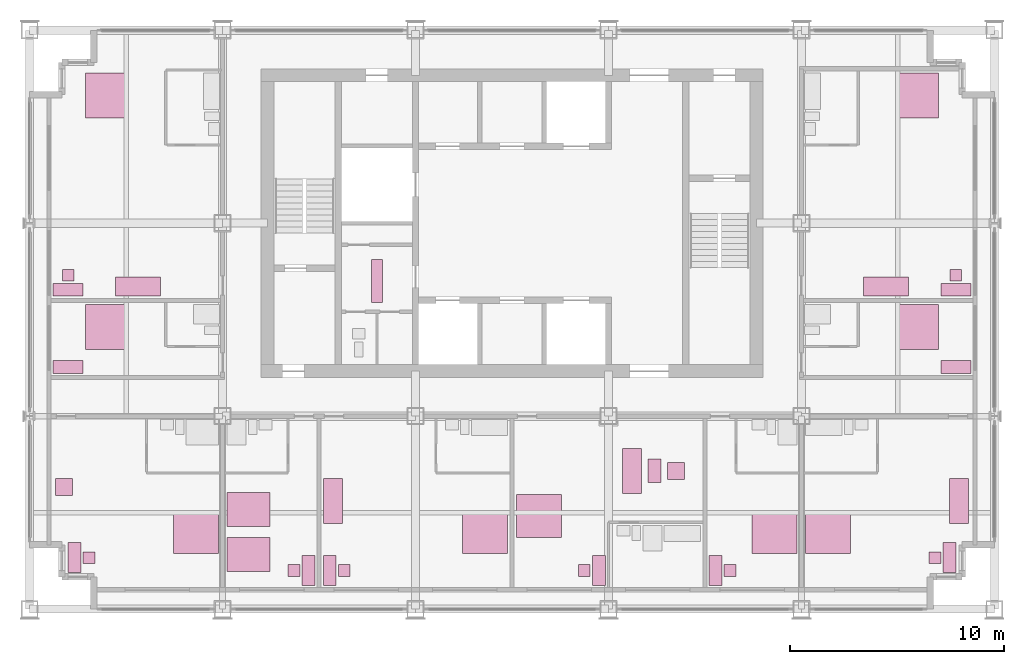
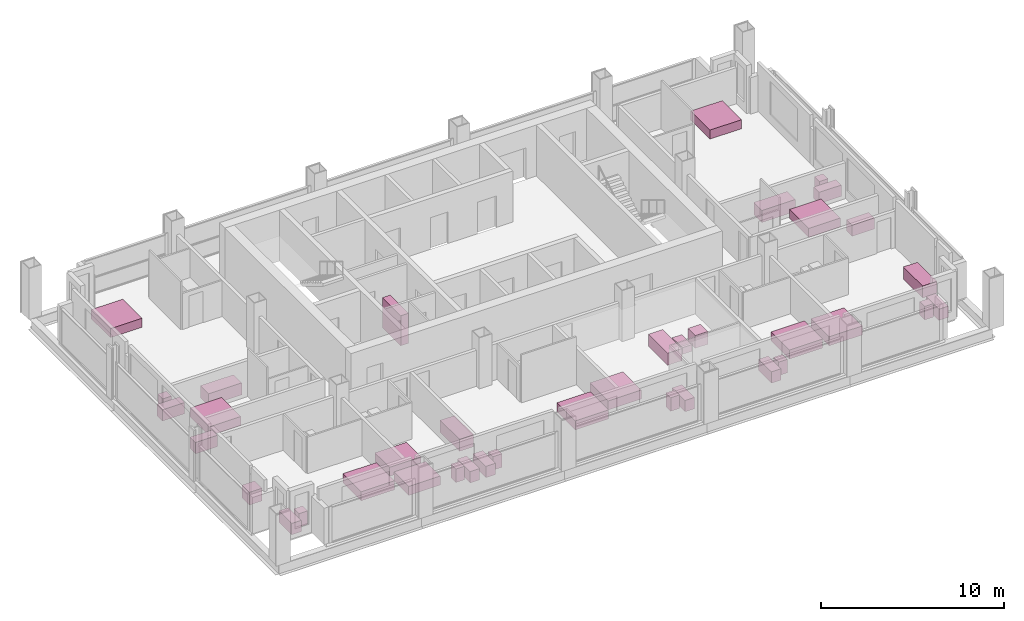
# One storey, part 13 of 13: 38 furniture elements.
"""IFC4 building model written with IfcOpenShell, lengths in metres."""

from ifc_helpers import new_model, si_unit, direction, frame, origin, origin_2d, place, context, subcontext, project, spatial, rectangle, extrude, element, save


model = new_model("IFC4")

# Units and contexts
model_context = context("Model", 3, precision=1e-05, world=origin(), true_north=direction((0.0, 1.0)))
body_context = subcontext(model_context, "Body", "Model", "MODEL_VIEW")
ifc_project = project(units=[si_unit("LENGTHUNIT", "METRE"), si_unit("AREAUNIT", "SQUARE_METRE"), si_unit("VOLUMEUNIT", "CUBIC_METRE"), si_unit("PLANEANGLEUNIT", "RADIAN"), si_unit("MASSUNIT", "GRAM", prefix="KILO")], contexts=[model_context])

# Site, building, storey
site_placement = place(None, origin())
site = spatial("IfcSite", under=ifc_project, at=site_placement, CompositionType="ELEMENT")
building_placement = place(site_placement, origin())
building = spatial("IfcBuilding", under=site, at=building_placement, Name="Loomwork Tower", CompositionType="ELEMENT")
storey_placement = place(building_placement, frame((0.0, 0.0, 211.39990234375)))
storey = spatial("IfcBuildingStorey", under=building, at=storey_placement, Name="L58", CompositionType="ELEMENT", Elevation=211.39990234375)

# Furniture
furniture_1_placement = place(storey_placement, frame((7.75, 3.60009765625, 0.0), z_axis=(0.0, 0.0, 1.0), x_axis=(1.0, 0.0, 0.0)))
element("IfcFurniture", 1, at=furniture_1_placement, inside=storey, Name="King bed L58", PredefinedType="BED", context=body_context, shape_type="SweptSolid", body=[
    extrude(rectangle(XDim=2.10009765625, YDim=2.0, at=origin_2d()), origin(), (0.0, 0.0, 1.0), 0.60009765625),
])
furniture_2_placement = place(storey_placement, frame((2.10009765625, 2.39990234375, 0.0), z_axis=(0.0, 0.0, 1.0), x_axis=(1.0, 0.0, 0.0)))
element("IfcFurniture", 2, at=furniture_2_placement, inside=storey, Name="Writing desk L58", PredefinedType="DESK", context=body_context, shape_type="SweptSolid", body=[
    extrude(rectangle(XDim=0.60009765625, YDim=1.39990234375, at=origin_2d()), origin(), (0.0, 0.0, 1.0), 0.75),
])
furniture_3_placement = place(storey_placement, frame((2.77490234375, 2.39990234375, 0.000244140625), z_axis=(0.0, 0.0, 1.0), x_axis=(1.0, 0.0, 0.0)))
element("IfcFurniture", 3, at=furniture_3_placement, inside=storey, Name="Desk chair L58", PredefinedType="CHAIR", context=body_context, shape_type="SweptSolid", body=[
    extrude(rectangle(XDim=0.550048828125, YDim=0.550048828125, at=origin_2d()), origin(), (0.0, 0.0, 1.0), 0.89990234375),
])
furniture_4_placement = place(storey_placement, frame((1.60009765625, 5.699951171875, 0.0), z_axis=(0.0, 0.0, 1.0), x_axis=(1.0, 0.0, 0.0)))
element("IfcFurniture", 4, at=furniture_4_placement, inside=storey, Name="Lounge armchair L58", PredefinedType="CHAIR", context=body_context, shape_type="SweptSolid", body=[
    extrude(rectangle(XDim=0.800048828125, YDim=0.800048828125, at=origin_2d()), origin(), (0.0, 0.0, 1.0), 0.85009765625),
])
for number, where, z_axis, x_axis, name in (
    (5, (10.199951171875, 4.64990234375, 0.0), (0.0, 0.0, 1.0), (1.0, 0.0, 0.0), "Queen bed L58"),
    (6, (10.199951171875, 2.550048828125, 0.0), (0.0, 0.0, 1.0), (1.0, 0.0, 0.0), "Queen bed L58"),
):
    element("IfcFurniture", number, at=place(storey_placement, frame(where, z_axis=z_axis, x_axis=x_axis)), inside=storey, Name=name, PredefinedType="BED", context=body_context, shape_type="SweptSolid", body=[
        extrude(rectangle(XDim=2.0, YDim=1.60009765625, at=origin_2d()), origin(), (0.0, 0.0, 1.0), 0.60009765625),
    ])
furniture_5_placement = place(storey_placement, frame((13.0, 1.800048828125, 0.0), z_axis=(0.0, 0.0, 1.0), x_axis=(1.0, 0.0, 0.0)))
element("IfcFurniture", 7, at=furniture_5_placement, inside=storey, Name="Writing desk L58", PredefinedType="DESK", context=body_context, shape_type="SweptSolid", body=[
    extrude(rectangle(XDim=0.60009765625, YDim=1.39990234375, at=origin_2d()), origin(), (0.0, 0.0, 1.0), 0.75),
])
furniture_6_placement = place(storey_placement, frame((12.324951171875, 1.800048828125, 0.000244140625), z_axis=(0.0, 0.0, 1.0), x_axis=(1.0, 0.0, 0.0)))
element("IfcFurniture", 8, at=furniture_6_placement, inside=storey, Name="Desk chair L58", PredefinedType="CHAIR", context=body_context, shape_type="SweptSolid", body=[
    extrude(rectangle(XDim=0.550048828125, YDim=0.550048828125, at=origin_2d()), origin(), (0.0, 0.0, 1.0), 0.89990234375),
])
furniture_7_placement = place(storey_placement, frame((21.25, 3.60009765625, 0.0), z_axis=(0.0, 0.0, 1.0), x_axis=(1.0, 0.0, 0.0)))
element("IfcFurniture", 9, at=furniture_7_placement, inside=storey, Name="King bed L58", PredefinedType="BED", context=body_context, shape_type="SweptSolid", body=[
    extrude(rectangle(XDim=2.10009765625, YDim=2.0, at=origin_2d()), origin(), (0.0, 0.0, 1.0), 0.60009765625),
])
furniture_8_placement = place(storey_placement, frame((14.0, 1.800048828125, 0.0), z_axis=(0.0, 0.0, 1.0), x_axis=(1.0, 0.0, 0.0)))
element("IfcFurniture", 10, at=furniture_8_placement, inside=storey, Name="Writing desk L58", PredefinedType="DESK", context=body_context, shape_type="SweptSolid", body=[
    extrude(rectangle(XDim=0.60009765625, YDim=1.39990234375, at=origin_2d()), origin(), (0.0, 0.0, 1.0), 0.75),
])
furniture_9_placement = place(storey_placement, frame((14.675048828125, 1.800048828125, 0.000244140625), z_axis=(0.0, 0.0, 1.0), x_axis=(1.0, 0.0, 0.0)))
element("IfcFurniture", 11, at=furniture_9_placement, inside=storey, Name="Desk chair L58", PredefinedType="CHAIR", context=body_context, shape_type="SweptSolid", body=[
    extrude(rectangle(XDim=0.550048828125, YDim=0.550048828125, at=origin_2d()), origin(), (0.0, 0.0, 1.0), 0.89990234375),
])
furniture_10_placement = place(storey_placement, frame((14.14990234375, 5.050048828125, 0.0), z_axis=(0.0, 0.0, 1.0), x_axis=(1.0, 0.0, 0.0)))
element("IfcFurniture", 12, at=furniture_10_placement, inside=storey, Name="Sofa L58", PredefinedType="SOFA", context=body_context, shape_type="SweptSolid", body=[
    extrude(rectangle(XDim=0.89990234375, YDim=2.10009765625, at=origin_2d()), origin(), (0.0, 0.0, 1.0), 0.800048828125),
])
furniture_11_placement = place(storey_placement, frame((23.75, 4.35009765625, 0.0), z_axis=(0.0, 0.0, 1.0), x_axis=(1.0, 0.0, 0.0)))
element("IfcFurniture", 13, at=furniture_11_placement, inside=storey, Name="King bed L58", PredefinedType="BED", context=body_context, shape_type="SweptSolid", body=[
    extrude(rectangle(XDim=2.10009765625, YDim=2.0, at=origin_2d()), origin(), (0.0, 0.0, 1.0), 0.60009765625),
])
furniture_12_placement = place(storey_placement, frame((26.550048828125, 1.800048828125, 0.0), z_axis=(0.0, 0.0, 1.0), x_axis=(1.0, 0.0, 0.0)))
element("IfcFurniture", 14, at=furniture_12_placement, inside=storey, Name="Writing desk L58", PredefinedType="DESK", context=body_context, shape_type="SweptSolid", body=[
    extrude(rectangle(XDim=0.60009765625, YDim=1.39990234375, at=origin_2d()), origin(), (0.0, 0.0, 1.0), 0.75),
])
furniture_13_placement = place(storey_placement, frame((25.875, 1.800048828125, 0.000244140625), z_axis=(0.0, 0.0, 1.0), x_axis=(1.0, 0.0, 0.0)))
element("IfcFurniture", 15, at=furniture_13_placement, inside=storey, Name="Desk chair L58", PredefinedType="CHAIR", context=body_context, shape_type="SweptSolid", body=[
    extrude(rectangle(XDim=0.550048828125, YDim=0.550048828125, at=origin_2d()), origin(), (0.0, 0.0, 1.0), 0.89990234375),
])
furniture_14_placement = place(storey_placement, frame((28.10009765625, 6.449951171875, 0.0), z_axis=(0.0, 0.0, 1.0), x_axis=(1.0, 0.0, 0.0)))
element("IfcFurniture", 16, at=furniture_14_placement, inside=storey, Name="Sofa L58", PredefinedType="SOFA", context=body_context, shape_type="SweptSolid", body=[
    extrude(rectangle(XDim=0.89990234375, YDim=2.10009765625, at=origin_2d()), origin(), (0.0, 0.0, 1.0), 0.800048828125),
])
furniture_15_placement = place(storey_placement, frame((29.14990234375, 6.449951171875, 0.0), z_axis=(0.0, 0.0, 1.0), x_axis=(1.0, 0.0, 0.0)))
element("IfcFurniture", 17, at=furniture_15_placement, inside=storey, Name="Coffee table L58", PredefinedType="TABLE", context=body_context, shape_type="SweptSolid", body=[
    extrude(rectangle(XDim=0.60009765625, YDim=1.10009765625, at=origin_2d()), origin(), (0.0, 0.0, 1.0), 0.449951171875),
])
furniture_16_placement = place(storey_placement, frame((30.14990234375, 6.449951171875, 0.0), z_axis=(0.0, 0.0, 1.0), x_axis=(1.0, 0.0, 0.0)))
element("IfcFurniture", 18, at=furniture_16_placement, inside=storey, Name="Lounge armchair L58", PredefinedType="CHAIR", context=body_context, shape_type="SweptSolid", body=[
    extrude(rectangle(XDim=0.800048828125, YDim=0.800048828125, at=origin_2d()), origin(), (0.0, 0.0, 1.0), 0.85009765625),
])
furniture_17_placement = place(storey_placement, frame((34.75, 3.60009765625, 0.0), z_axis=(0.0, 0.0, 1.0), x_axis=(1.0, 0.0, 0.0)))
element("IfcFurniture", 19, at=furniture_17_placement, inside=storey, Name="King bed L58", PredefinedType="BED", context=body_context, shape_type="SweptSolid", body=[
    extrude(rectangle(XDim=2.10009765625, YDim=2.0, at=origin_2d()), origin(), (0.0, 0.0, 1.0), 0.60009765625),
])
furniture_18_placement = place(storey_placement, frame((32.0, 1.800048828125, 0.0), z_axis=(0.0, 0.0, 1.0), x_axis=(1.0, 0.0, 0.0)))
element("IfcFurniture", 20, at=furniture_18_placement, inside=storey, Name="Writing desk L58", PredefinedType="DESK", context=body_context, shape_type="SweptSolid", body=[
    extrude(rectangle(XDim=0.60009765625, YDim=1.39990234375, at=origin_2d()), origin(), (0.0, 0.0, 1.0), 0.75),
])
furniture_19_placement = place(storey_placement, frame((32.675048828125, 1.800048828125, 0.000244140625), z_axis=(0.0, 0.0, 1.0), x_axis=(1.0, 0.0, 0.0)))
element("IfcFurniture", 21, at=furniture_19_placement, inside=storey, Name="Desk chair L58", PredefinedType="CHAIR", context=body_context, shape_type="SweptSolid", body=[
    extrude(rectangle(XDim=0.550048828125, YDim=0.550048828125, at=origin_2d()), origin(), (0.0, 0.0, 1.0), 0.89990234375),
])
furniture_20_placement = place(storey_placement, frame((37.25, 3.60009765625, 0.0), z_axis=(0.0, 0.0, 1.0), x_axis=(1.0, 0.0, 0.0)))
element("IfcFurniture", 22, at=furniture_20_placement, inside=storey, Name="King bed L58", PredefinedType="BED", context=body_context, shape_type="SweptSolid", body=[
    extrude(rectangle(XDim=2.10009765625, YDim=2.0, at=origin_2d()), origin(), (0.0, 0.0, 1.0), 0.60009765625),
])
furniture_21_placement = place(storey_placement, frame((42.89990234375, 2.39990234375, 0.0), z_axis=(0.0, 0.0, 1.0), x_axis=(1.0, 0.0, 0.0)))
element("IfcFurniture", 23, at=furniture_21_placement, inside=storey, Name="Writing desk L58", PredefinedType="DESK", context=body_context, shape_type="SweptSolid", body=[
    extrude(rectangle(XDim=0.60009765625, YDim=1.39990234375, at=origin_2d()), origin(), (0.0, 0.0, 1.0), 0.75),
])
furniture_22_placement = place(storey_placement, frame((42.22509765625, 2.39990234375, 0.000244140625), z_axis=(0.0, 0.0, 1.0), x_axis=(1.0, 0.0, 0.0)))
element("IfcFurniture", 24, at=furniture_22_placement, inside=storey, Name="Desk chair L58", PredefinedType="CHAIR", context=body_context, shape_type="SweptSolid", body=[
    extrude(rectangle(XDim=0.550048828125, YDim=0.550048828125, at=origin_2d()), origin(), (0.0, 0.0, 1.0), 0.89990234375),
])
furniture_23_placement = place(storey_placement, frame((43.35009765625, 5.050048828125, 0.0), z_axis=(0.0, 0.0, 1.0), x_axis=(1.0, 0.0, 0.0)))
element("IfcFurniture", 25, at=furniture_23_placement, inside=storey, Name="Sofa L58", PredefinedType="SOFA", context=body_context, shape_type="SweptSolid", body=[
    extrude(rectangle(XDim=0.89990234375, YDim=2.10009765625, at=origin_2d()), origin(), (0.0, 0.0, 1.0), 0.800048828125),
])
furniture_24_placement = place(storey_placement, frame((3.60009765625, 13.14990234375, 0.0), z_axis=(0.0, 0.0, 1.0), x_axis=(1.0, 0.0, 0.0)))
element("IfcFurniture", 26, at=furniture_24_placement, inside=storey, Name="King bed L58", PredefinedType="BED", context=body_context, shape_type="SweptSolid", body=[
    extrude(rectangle(XDim=2.0, YDim=2.10009765625, at=origin_2d()), origin(), (0.0, 0.0, 1.0), 0.60009765625),
])
furniture_25_placement = place(storey_placement, frame((1.800048828125, 11.300048828125, 0.0), z_axis=(0.0, 0.0, 1.0), x_axis=(1.0, 0.0, 0.0)))
element("IfcFurniture", 27, at=furniture_25_placement, inside=storey, Name="Writing desk L58", PredefinedType="DESK", context=body_context, shape_type="SweptSolid", body=[
    extrude(rectangle(XDim=1.39990234375, YDim=0.60009765625, at=origin_2d()), origin(), (0.0, 0.0, 1.0), 0.75),
])
furniture_26_placement = place(storey_placement, frame((3.60009765625, 23.949951171875, 0.0), z_axis=(0.0, 0.0, 1.0), x_axis=(1.0, 0.0, 0.0)))
element("IfcFurniture", 28, at=furniture_26_placement, inside=storey, Name="King bed L58", PredefinedType="BED", context=body_context, shape_type="SweptSolid", body=[
    extrude(rectangle(XDim=2.0, YDim=2.10009765625, at=origin_2d()), origin(), (0.0, 0.0, 1.0), 0.60009765625),
])
furniture_27_placement = place(storey_placement, frame((1.800048828125, 14.89990234375, 0.0), z_axis=(0.0, 0.0, 1.0), x_axis=(1.0, 0.0, 0.0)))
element("IfcFurniture", 29, at=furniture_27_placement, inside=storey, Name="Writing desk L58", PredefinedType="DESK", context=body_context, shape_type="SweptSolid", body=[
    extrude(rectangle(XDim=1.39990234375, YDim=0.60009765625, at=origin_2d()), origin(), (0.0, 0.0, 1.0), 0.75),
])
furniture_28_placement = place(storey_placement, frame((1.800048828125, 15.574951171875, 0.000244140625), z_axis=(0.0, 0.0, 1.0), x_axis=(1.0, 0.0, 0.0)))
element("IfcFurniture", 30, at=furniture_28_placement, inside=storey, Name="Desk chair L58", PredefinedType="CHAIR", context=body_context, shape_type="SweptSolid", body=[
    extrude(rectangle(XDim=0.550048828125, YDim=0.550048828125, at=origin_2d()), origin(), (0.0, 0.0, 1.0), 0.89990234375),
])
furniture_29_placement = place(storey_placement, frame((5.050048828125, 15.050048828125, 0.0), z_axis=(0.0, 0.0, 1.0), x_axis=(1.0, 0.0, 0.0)))
element("IfcFurniture", 31, at=furniture_29_placement, inside=storey, Name="Sofa L58", PredefinedType="SOFA", context=body_context, shape_type="SweptSolid", body=[
    extrude(rectangle(XDim=2.10009765625, YDim=0.89990234375, at=origin_2d()), origin(), (0.0, 0.0, 1.0), 0.800048828125),
])
furniture_30_placement = place(storey_placement, frame((41.39990234375, 13.14990234375, 0.0), z_axis=(0.0, 0.0, 1.0), x_axis=(1.0, 0.0, 0.0)))
element("IfcFurniture", 32, at=furniture_30_placement, inside=storey, Name="King bed L58", PredefinedType="BED", context=body_context, shape_type="SweptSolid", body=[
    extrude(rectangle(XDim=2.0, YDim=2.10009765625, at=origin_2d()), origin(), (0.0, 0.0, 1.0), 0.60009765625),
])
furniture_31_placement = place(storey_placement, frame((43.199951171875, 11.300048828125, 0.0), z_axis=(0.0, 0.0, 1.0), x_axis=(1.0, 0.0, 0.0)))
element("IfcFurniture", 33, at=furniture_31_placement, inside=storey, Name="Writing desk L58", PredefinedType="DESK", context=body_context, shape_type="SweptSolid", body=[
    extrude(rectangle(XDim=1.39990234375, YDim=0.60009765625, at=origin_2d()), origin(), (0.0, 0.0, 1.0), 0.75),
])
furniture_32_placement = place(storey_placement, frame((41.39990234375, 23.949951171875, 0.0), z_axis=(0.0, 0.0, 1.0), x_axis=(1.0, 0.0, 0.0)))
element("IfcFurniture", 34, at=furniture_32_placement, inside=storey, Name="King bed L58", PredefinedType="BED", context=body_context, shape_type="SweptSolid", body=[
    extrude(rectangle(XDim=2.0, YDim=2.10009765625, at=origin_2d()), origin(), (0.0, 0.0, 1.0), 0.60009765625),
])
furniture_33_placement = place(storey_placement, frame((43.199951171875, 14.89990234375, 0.0), z_axis=(0.0, 0.0, 1.0), x_axis=(1.0, 0.0, 0.0)))
element("IfcFurniture", 35, at=furniture_33_placement, inside=storey, Name="Writing desk L58", PredefinedType="DESK", context=body_context, shape_type="SweptSolid", body=[
    extrude(rectangle(XDim=1.39990234375, YDim=0.60009765625, at=origin_2d()), origin(), (0.0, 0.0, 1.0), 0.75),
])
furniture_34_placement = place(storey_placement, frame((43.199951171875, 15.574951171875, 0.000244140625), z_axis=(0.0, 0.0, 1.0), x_axis=(1.0, 0.0, 0.0)))
element("IfcFurniture", 36, at=furniture_34_placement, inside=storey, Name="Desk chair L58", PredefinedType="CHAIR", context=body_context, shape_type="SweptSolid", body=[
    extrude(rectangle(XDim=0.550048828125, YDim=0.550048828125, at=origin_2d()), origin(), (0.0, 0.0, 1.0), 0.89990234375),
])
furniture_35_placement = place(storey_placement, frame((39.949951171875, 15.050048828125, 0.0), z_axis=(0.0, 0.0, 1.0), x_axis=(1.0, 0.0, 0.0)))
element("IfcFurniture", 37, at=furniture_35_placement, inside=storey, Name="Sofa L58", PredefinedType="SOFA", context=body_context, shape_type="SweptSolid", body=[
    extrude(rectangle(XDim=2.10009765625, YDim=0.89990234375, at=origin_2d()), origin(), (0.0, 0.0, 1.0), 0.800048828125),
])
furniture_36_placement = place(storey_placement, frame((16.199951171875, 15.300048828125, 0.0), z_axis=(0.0, 0.0, 1.0), x_axis=(1.0, 0.0, 0.0)))
element("IfcFurniture", 38, at=furniture_36_placement, inside=storey, Name="Linen shelving L58", PredefinedType="SHELF", context=body_context, shape_type="SweptSolid", body=[
    extrude(rectangle(XDim=0.5, YDim=2.0, at=origin_2d()), origin(), (0.0, 0.0, 1.0), 2.0),
])

save(model, "model.ifc")
